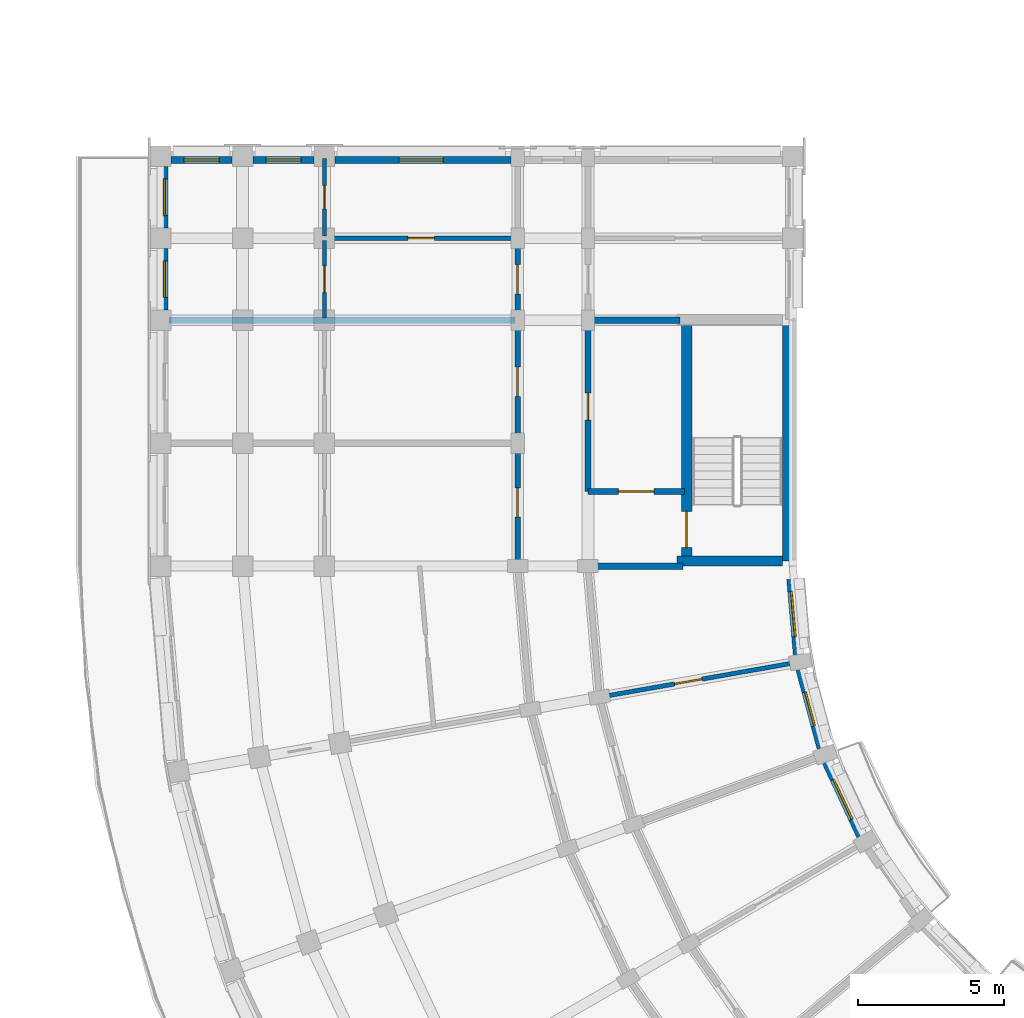
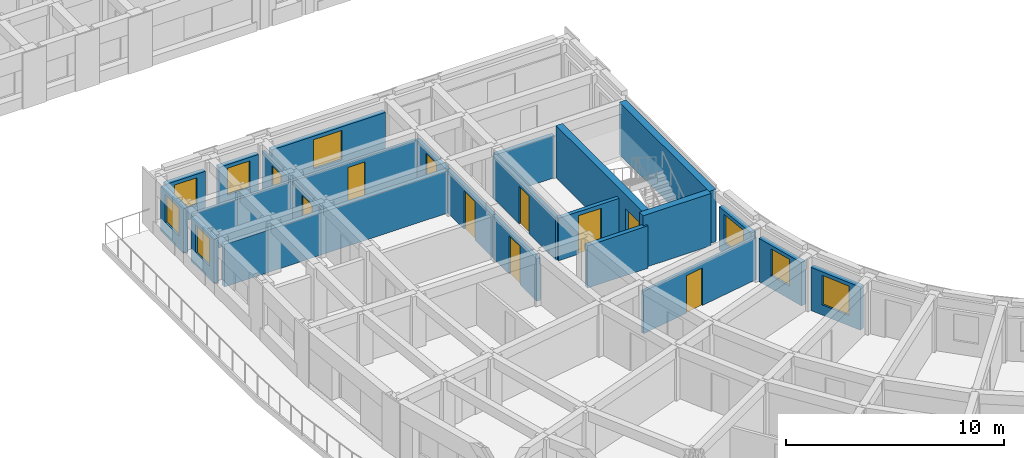
# One storey, part 21 of 57: 23 walls, 10 doors, 8 windows, 18 openings.
"""IFC4 building model written with IfcOpenShell, lengths in metres."""

from ifc_helpers import new_model, si_unit, direction, frame, frame_2d, origin, place, context, subcontext, project, spatial, rectangle, extrude, material, layer, layer_set, type_object, element, fill, save


model = new_model("IFC4")

# Units and contexts
model_context = context("Model", 3, precision=1e-05, world=origin(), true_north=direction((0.0, 1.0)))
body_context = subcontext(model_context, "Body", "Model", "MODEL_VIEW")
ifc_project = project(units=[si_unit("LENGTHUNIT", "METRE"), si_unit("AREAUNIT", "SQUARE_METRE"), si_unit("VOLUMEUNIT", "CUBIC_METRE"), si_unit("PLANEANGLEUNIT", "RADIAN"), si_unit("MASSUNIT", "GRAM", prefix="KILO")], contexts=[model_context])

# Site, building, storey
site_placement = place(None, origin())
site = spatial("IfcSite", under=ifc_project, at=site_placement, CompositionType="ELEMENT")
building_placement = place(site_placement, origin())
building = spatial("IfcBuilding", under=site, at=building_placement, Name="Kiranvali Square Residences", CompositionType="ELEMENT")
storey_placement = place(building_placement, frame((0.0, 0.0, 24.449951171875)))
storey = spatial("IfcBuildingStorey", under=building, at=storey_placement, Name="L07", CompositionType="ELEMENT", Elevation=24.449951171875)

# Wall, opening, door
ifc_material_1 = material(Name="Autoclaved aerated concrete blockwork masonry", Category="masonry")
ifc_layer_1 = layer(ifc_material_1, 0.199951171875)
ifc_layer_set_1 = layer_set([ifc_layer_1], Name="Autoclaved aerated concrete blockwork masonry")
wall_type_1 = type_object("IfcWallType", Name="WL-COR-200", PredefinedType="STANDARD", material=ifc_layer_set_1)
wall_1_placement = place(storey_placement, frame((25.699951171875, 50.75, 0.0), z_axis=(0.0, 0.0, 1.0), x_axis=(-1.0, 0.0, 0.0)))
wall_1 = element("IfcWall", 1, at=wall_1_placement, inside=storey, type_object=wall_type_1, Name="L07 architectural wall WL-L07-C-S3-V", PredefinedType="STANDARD", context=body_context, shape_type="SweptSolid", body=[
    extrude(rectangle(XDim=3.300048828125, YDim=0.199951171875, at=frame_2d((1.64990234375, 0.0))), origin(), (0.0, 0.0, 1.0), 2.3720703125),
])
opening_1_placement = place(wall_1_placement, frame((1.0400390625, 0.0, 0.0)))
opening_1 = element("IfcOpeningElement", 2, at=opening_1_placement, cuts=wall_1, Name="Opening FD-COR-60", PredefinedType="OPENING", context=body_context, shape_type="SweptSolid", body=[
    extrude(rectangle(XDim=1.219970703125, YDim=2.14990234375, at=frame_2d((0.60986328125, 1.074951171875))), frame((0.0, 0.10986328125, 0.0), z_axis=(0.0, -1.0, 0.0), x_axis=(1.0, 0.0, 0.0)), (0.0, 0.0, 1.0), 0.219970703125),
])
ifc_material_2 = material(Name="Fire-rated acoustic hardwood and mineral-core door assembly", Category="wood")
door_type_1 = type_object("IfcDoorType", Name="DR-FD60-1200", OperationType="NOTDEFINED", PredefinedType="DOOR", material=ifc_material_2)
door_1_placement = place(opening_1_placement, origin())
door_1 = element("IfcDoor", 3, at=door_1_placement, inside=storey, type_object=door_type_1, Name="L07 door DR-L07-2149 (DR-FD60-1200)", OperationType="SINGLE_SWING_LEFT", OverallHeight=2.14990234375, OverallWidth=1.219970703125, PredefinedType="DOOR", context=body_context, shape_type="SweptSolid", body=[
    extrude(rectangle(XDim=1.219970703125, YDim=2.14990234375, at=frame_2d((0.60986328125, 1.074951171875))), frame((0.0, 0.02490234375, 0.0), z_axis=(0.0, -1.0, 0.0), x_axis=(1.0, 0.0, 0.0)), (0.0, 0.0, 1.0), 0.050048828125),
])
fill(opening_1, door_1)

wall_2_placement = place(storey_placement, frame((22.39990234375, 50.75, 0.0), z_axis=(0.0, 0.0, 1.0), x_axis=(0.0, 1.0, 0.0)))
wall_2 = element("IfcWall", 4, at=wall_2_placement, inside=storey, type_object=wall_type_1, Name="L07 architectural wall WL-L07-C-S3-COR", PredefinedType="STANDARD", context=body_context, shape_type="SweptSolid", body=[
    extrude(rectangle(XDim=5.800048828125, YDim=0.199951171875, at=frame_2d((2.89990234375, 0.0))), origin(), (0.0, 0.0, 1.0), 2.3720703125),
])
opening_2_placement = place(wall_2_placement, frame((2.43994140625, 0.0, 0.0)))
opening_2 = element("IfcOpeningElement", 5, at=opening_2_placement, cuts=wall_2, Name="Opening FD-SVC-120", PredefinedType="OPENING", context=body_context, shape_type="SweptSolid", body=[
    extrude(rectangle(XDim=0.919921875, YDim=2.10009765625, at=frame_2d((0.4599609375, 1.050048828125))), frame((0.0, 0.10986328125, 0.0), z_axis=(0.0, -1.0, 0.0), x_axis=(1.0, 0.0, 0.0)), (0.0, 0.0, 1.0), 0.219970703125),
])
door_type_2 = type_object("IfcDoorType", Name="DR-SVC-900", OperationType="NOTDEFINED", PredefinedType="DOOR", material=ifc_material_2)
door_2_placement = place(opening_2_placement, frame((0.919921875, 0.0, 0.0), z_axis=(0.0, 0.0, 1.0), x_axis=(-1.0, 0.0, 0.0)))
door_2 = element("IfcDoor", 6, at=door_2_placement, inside=storey, type_object=door_type_2, Name="L07 door DR-L07-2150 (DR-SVC-900)", OperationType="SINGLE_SWING_RIGHT", OverallHeight=2.10009765625, OverallWidth=0.919921875, PredefinedType="DOOR", context=body_context, shape_type="SweptSolid", body=[
    extrude(rectangle(XDim=0.919921875, YDim=2.10009765625, at=frame_2d((0.4599609375, 1.050048828125))), frame((0.0, 0.02490234375, 0.0), z_axis=(0.0, -1.0, 0.0), x_axis=(1.0, 0.0, 0.0)), (0.0, 0.0, 1.0), 0.050048828125),
])
fill(opening_2, door_2)

wall_3_placement = place(storey_placement, frame((20.0, 48.35009765625, 0.0), z_axis=(0.0, 0.0, 1.0), x_axis=(0.0, 1.0, 0.0)))
wall_3 = element("IfcWall", 7, at=wall_3_placement, inside=storey, type_object=wall_type_1, Name="L07 architectural wall WL-L07-C-A2CF-C0", PredefinedType="STANDARD", context=body_context, shape_type="SweptSolid", body=[
    extrude(rectangle(XDim=4.0498046875, YDim=0.199951171875, at=frame_2d((2.02490234375, 0.0))), origin(), (0.0, 0.0, 1.0), 2.3720703125),
])
opening_3_placement = place(wall_3_placement, frame((1.52490234375, 0.0, 0.0)))
opening_3 = element("IfcOpeningElement", 8, at=opening_3_placement, cuts=wall_3, Name="Opening FD-APT-60", PredefinedType="OPENING", context=body_context, shape_type="SweptSolid", body=[
    extrude(rectangle(XDim=1.0, YDim=2.14990234375, at=frame_2d((0.5, 1.074951171875))), frame((0.0, 0.10986328125, 0.0), z_axis=(0.0, -1.0, 0.0), x_axis=(1.0, 0.0, 0.0)), (0.0, 0.0, 1.0), 0.219970703125),
])
door_type_3 = type_object("IfcDoorType", Name="DR-APT-1000", OperationType="NOTDEFINED", PredefinedType="DOOR", material=ifc_material_2)
door_3_placement = place(opening_3_placement, origin())
door_3 = element("IfcDoor", 9, at=door_3_placement, inside=storey, type_object=door_type_3, Name="L07 door DR-L07-2189 (DR-APT-1000)", OperationType="SINGLE_SWING_LEFT", OverallHeight=2.14990234375, OverallWidth=1.0, PredefinedType="DOOR", context=body_context, shape_type="SweptSolid", body=[
    extrude(rectangle(XDim=1.0, YDim=2.14990234375, at=frame_2d((0.5, 1.074951171875))), frame((0.0, 0.02490234375, 0.0), z_axis=(0.0, -1.0, 0.0), x_axis=(1.0, 0.0, 0.0)), (0.0, 0.0, 1.0), 0.050048828125),
])
fill(opening_3, door_3)

wall_4_placement = place(storey_placement, frame((20.0, 52.39990234375, 0.0), z_axis=(0.0, 0.0, 1.0), x_axis=(0.0, 1.0, 0.0)))
wall_4 = element("IfcWall", 10, at=wall_4_placement, inside=storey, type_object=wall_type_1, Name="L07 architectural wall WL-L07-C-A2CF-C1", PredefinedType="STANDARD", context=body_context, shape_type="SweptSolid", body=[
    extrude(rectangle(XDim=4.2001953125, YDim=0.199951171875, at=frame_2d((2.10009765625, 0.0))), origin(), (0.0, 0.0, 1.0), 2.3720703125),
])
opening_4_placement = place(wall_4_placement, frame((1.60009765625, 0.0, 0.0)))
opening_4 = element("IfcOpeningElement", 11, at=opening_4_placement, cuts=wall_4, Name="Opening FD-APT-60", PredefinedType="OPENING", context=body_context, shape_type="SweptSolid", body=[
    extrude(rectangle(XDim=1.0, YDim=2.14990234375, at=frame_2d((0.5, 1.074951171875))), frame((0.0, 0.10986328125, 0.0), z_axis=(0.0, -1.0, 0.0), x_axis=(1.0, 0.0, 0.0)), (0.0, 0.0, 1.0), 0.219970703125),
])
door_4_placement = place(opening_4_placement, origin())
door_4 = element("IfcDoor", 12, at=door_4_placement, inside=storey, type_object=door_type_3, Name="L07 door DR-L07-2191 (DR-APT-1000)", OperationType="SINGLE_SWING_LEFT", OverallHeight=2.14990234375, OverallWidth=1.0, PredefinedType="DOOR", context=body_context, shape_type="SweptSolid", body=[
    extrude(rectangle(XDim=1.0, YDim=2.14990234375, at=frame_2d((0.5, 1.074951171875))), frame((0.0, 0.02490234375, 0.0), z_axis=(0.0, -1.0, 0.0), x_axis=(1.0, 0.0, 0.0)), (0.0, 0.0, 1.0), 0.050048828125),
])
fill(opening_4, door_4)

wall_5_placement = place(storey_placement, frame((20.0, 56.60009765625, 0.0), z_axis=(0.0, 0.0, 1.0), x_axis=(0.0, 1.0, 0.0)))
wall_5 = element("IfcWall", 13, at=wall_5_placement, inside=storey, type_object=wall_type_1, Name="L07 architectural wall WL-L07-C-A2CO-0", PredefinedType="STANDARD", context=body_context, shape_type="SweptSolid", body=[
    extrude(rectangle(XDim=2.7998046875, YDim=0.199951171875, at=frame_2d((1.39990234375, 0.0))), origin(), (0.0, 0.0, 1.0), 2.3720703125),
])
opening_5_placement = place(wall_5_placement, frame((0.89990234375, 0.0, 0.0)))
opening_5 = element("IfcOpeningElement", 14, at=opening_5_placement, cuts=wall_5, Name="Opening FD-APT-60", PredefinedType="OPENING", context=body_context, shape_type="SweptSolid", body=[
    extrude(rectangle(XDim=1.0, YDim=2.14990234375, at=frame_2d((0.5, 1.074951171875))), frame((0.0, 0.10986328125, 0.0), z_axis=(0.0, -1.0, 0.0), x_axis=(1.0, 0.0, 0.0)), (0.0, 0.0, 1.0), 0.219970703125),
])
door_5_placement = place(opening_5_placement, origin())
door_5 = element("IfcDoor", 15, at=door_5_placement, inside=storey, type_object=door_type_3, Name="L07 door DR-L07-2195 (DR-APT-1000)", OperationType="SINGLE_SWING_LEFT", OverallHeight=2.14990234375, OverallWidth=1.0, PredefinedType="DOOR", context=body_context, shape_type="SweptSolid", body=[
    extrude(rectangle(XDim=1.0, YDim=2.14990234375, at=frame_2d((0.5, 1.074951171875))), frame((0.0, 0.02490234375, 0.0), z_axis=(0.0, -1.0, 0.0), x_axis=(1.0, 0.0, 0.0)), (0.0, 0.0, 1.0), 0.050048828125),
])
fill(opening_5, door_5)

# Walls
ifc_layer_2 = layer(ifc_material_1, 0.219970703125)
ifc_layer_set_2 = layer_set([ifc_layer_2], Name="Autoclaved aerated concrete blockwork masonry")
wall_type_2 = type_object("IfcWallType", Name="WL-DEM-220", PredefinedType="STANDARD", material=ifc_layer_set_2)
wall_6_placement = place(storey_placement, frame((25.64990234375, 48.199951171875, 0.0), z_axis=(0.0, 0.0, 1.0), x_axis=(-1.0, 0.0, 0.0)))
element("IfcWall", 16, at=wall_6_placement, inside=storey, type_object=wall_type_2, Name="L07 architectural wall WL-L07-C-RADI-9", PredefinedType="STANDARD", context=body_context, shape_type="SweptSolid", body=[
    extrude(rectangle(XDim=3.199951171875, YDim=0.219970703125, at=frame_2d((1.60009765625, 0.0))), origin(), (0.0, 0.0, 1.0), 2.3720703125),
])
wall_7_placement = place(storey_placement, frame((25.550048828125, 56.60009765625, 0.0), z_axis=(0.0, 0.0, 1.0), x_axis=(-1.0, 0.0, 0.0)))
element("IfcWall", 17, at=wall_7_placement, inside=storey, type_object=wall_type_2, Name="L07 architectural wall WL-L07-C-A2TI-0", PredefinedType="STANDARD", context=body_context, shape_type="SweptSolid", body=[
    extrude(rectangle(XDim=3.10009765625, YDim=0.219970703125, at=frame_2d((1.550048828125, 0.0))), origin(), (0.0, 0.0, 1.0), 2.3720703125),
])
wall_8_placement = place(storey_placement, frame((19.89990234375, 56.60009765625, 0.0), z_axis=(0.0, 0.0, 1.0), x_axis=(-1.0, 0.0, 0.0)))
element("IfcWall", 18, at=wall_8_placement, inside=storey, type_object=wall_type_2, Name="L07 architectural wall WL-L07-C-A2TO-0", PredefinedType="STANDARD", context=body_context, shape_type="SweptSolid", body=[
    extrude(rectangle(XDim=11.81982421875, YDim=0.219970703125, at=frame_2d((5.909912109375, 0.0))), origin(), (0.0, 0.0, 1.0), 2.3720703125),
])

# Wall, opening, window
ifc_material_3 = material(Name="Breathable lime-rendered clay brick masonry", Category="masonry")
ifc_layer_3 = layer(ifc_material_3, 0.25)
ifc_layer_set_3 = layer_set([ifc_layer_3], Name="Breathable lime-rendered clay brick masonry")
wall_type_3 = type_object("IfcWallType", Name="WL-EXT-250", PredefinedType="STANDARD", material=ifc_layer_set_3)
wall_9_placement = place(storey_placement, frame((31.6982421875, 38.97705078125, 0.0), z_axis=(0.0, 0.0, 1.0), x_axis=(-0.422649007088, 0.906293449611, 0.0)))
wall_9 = element("IfcWall", 19, at=wall_9_placement, inside=storey, type_object=wall_type_3, Name="L07 exterior wall C-L07-GDN-06", PredefinedType="STANDARD", context=body_context, shape_type="SweptSolid", body=[
    extrude(rectangle(XDim=2.769775390625, YDim=0.25, at=frame_2d((1.384765625, 0.0))), origin(), (0.0, 0.0, 1.0), 2.422119140625),
])
opening_6_placement = place(wall_9_placement, frame((0.635009765625, 0.0, 0.572021484375)))
opening_6 = element("IfcOpeningElement", 20, at=opening_6_placement, cuts=wall_9, Name="Opening W-05", PredefinedType="OPENING", context=body_context, shape_type="SweptSolid", body=[
    extrude(rectangle(XDim=1.5, YDim=1.64990234375, at=frame_2d((0.75, 0.824951171875))), frame((0.0, 0.135009765625, 0.0), z_axis=(0.0, -1.0, 0.0), x_axis=(1.0, 0.0, 0.0)), (0.0, 0.0, 1.0), 0.27001953125),
])
ifc_material_4 = material(Name="Solar-control low-e double glazing", Category="glass")
window_type_1 = type_object("IfcWindowType", Name="WIN-RES-1500x1650", PartitioningType="DOUBLE_PANEL_VERTICAL", PredefinedType="WINDOW", material=ifc_material_4)
window_1_placement = place(opening_6_placement, origin())
window_1 = element("IfcWindow", 21, at=window_1_placement, inside=storey, type_object=window_type_1, Name="L07 recessed window C-L07-GDN-06", OverallHeight=1.64990234375, OverallWidth=1.5, PartitioningType="DOUBLE_PANEL_VERTICAL", PredefinedType="WINDOW", context=body_context, shape_type="SweptSolid", body=[
    extrude(rectangle(XDim=1.5, YDim=1.64990234375, at=frame_2d((0.75, 0.824951171875))), frame((0.0, 0.030029296875, 0.0), z_axis=(0.0, -1.0, 0.0), x_axis=(1.0, 0.0, 0.0)), (0.0, 0.0, 1.0), 0.06005859375),
])
fill(opening_6, window_1)

wall_10_placement = place(storey_placement, frame((30.347412109375, 41.982666015625, 0.0), z_axis=(0.0, 0.0, 1.0), x_axis=(-0.25878161084, 0.965935855992, 0.0)))
wall_10 = element("IfcWall", 22, at=wall_10_placement, inside=storey, type_object=wall_type_3, Name="L07 exterior wall C-L07-GDN-07", PredefinedType="STANDARD", context=body_context, shape_type="SweptSolid", body=[
    extrude(rectangle(XDim=2.769775390625, YDim=0.25, at=frame_2d((1.384765625, 0.0))), origin(), (0.0, 0.0, 1.0), 2.422119140625),
])
opening_7_placement = place(wall_10_placement, frame((0.784912109375, 0.0, 0.721923828125)))
opening_7 = element("IfcOpeningElement", 23, at=opening_7_placement, cuts=wall_10, Name="Opening W-06", PredefinedType="OPENING", context=body_context, shape_type="SweptSolid", body=[
    extrude(rectangle(XDim=1.199951171875, YDim=1.5, at=frame_2d((0.60009765625, 0.75))), frame((0.0, 0.135009765625, 0.0), z_axis=(0.0, -1.0, 0.0), x_axis=(1.0, 0.0, 0.0)), (0.0, 0.0, 1.0), 0.27001953125),
])
window_type_2 = type_object("IfcWindowType", Name="WIN-RES-1200x1500", PartitioningType="SINGLE_PANEL", PredefinedType="WINDOW", material=ifc_material_4)
window_2_placement = place(opening_7_placement, origin())
window_2 = element("IfcWindow", 24, at=window_2_placement, inside=storey, type_object=window_type_2, Name="L07 recessed window C-L07-GDN-07", OverallHeight=1.5, OverallWidth=1.199951171875, PartitioningType="SINGLE_PANEL", PredefinedType="WINDOW", context=body_context, shape_type="SweptSolid", body=[
    extrude(rectangle(XDim=1.199951171875, YDim=1.5, at=frame_2d((0.60009765625, 0.75))), frame((0.0, 0.030029296875, 0.0), z_axis=(0.0, -1.0, 0.0), x_axis=(1.0, 0.0, 0.0)), (0.0, 0.0, 1.0), 0.06005859375),
])
fill(opening_7, window_2)

wall_11_placement = place(storey_placement, frame((29.5390625, 45.17724609375, 0.0), z_axis=(0.0, 0.0, 1.0), x_axis=(-0.087229084652, 0.996188278786, 0.0)))
wall_11 = element("IfcWall", 25, at=wall_11_placement, inside=storey, type_object=wall_type_3, Name="L07 exterior wall C-L07-GDN-08", PredefinedType="STANDARD", context=body_context, shape_type="SweptSolid", body=[
    extrude(rectangle(XDim=2.583251953125, YDim=0.25, at=frame_2d((1.29150390625, 0.0))), origin(), (0.0, 0.0, 1.0), 2.422119140625),
])
opening_8_placement = place(wall_11_placement, frame((0.60986328125, 0.0, 0.6220703125)))
opening_8 = element("IfcOpeningElement", 26, at=opening_8_placement, cuts=wall_11, Name="Opening W-18", PredefinedType="OPENING", context=body_context, shape_type="SweptSolid", body=[
    extrude(rectangle(XDim=1.550048828125, YDim=1.60009765625, at=frame_2d((0.77490234375, 0.800048828125))), frame((0.0, 0.135009765625, 0.0), z_axis=(0.0, -1.0, 0.0), x_axis=(1.0, 0.0, 0.0)), (0.0, 0.0, 1.0), 0.27001953125),
])
window_type_3 = type_object("IfcWindowType", Name="WIN-GDN-1550x1600", PartitioningType="DOUBLE_PANEL_VERTICAL", PredefinedType="WINDOW", material=ifc_material_4)
window_3_placement = place(opening_8_placement, origin())
window_3 = element("IfcWindow", 27, at=window_3_placement, inside=storey, type_object=window_type_3, Name="L07 recessed window C-L07-GDN-08", OverallHeight=1.60009765625, OverallWidth=1.550048828125, PartitioningType="DOUBLE_PANEL_VERTICAL", PredefinedType="WINDOW", context=body_context, shape_type="SweptSolid", body=[
    extrude(rectangle(XDim=1.550048828125, YDim=1.60009765625, at=frame_2d((0.77490234375, 0.800048828125))), frame((0.0, 0.030029296875, 0.0), z_axis=(0.0, -1.0, 0.0), x_axis=(1.0, 0.0, 0.0)), (0.0, 0.0, 1.0), 0.06005859375),
])
fill(opening_8, window_3)

wall_12_placement = place(storey_placement, frame((7.925048828125, 56.95361328125, 0.0), z_axis=(0.0, 0.0, 1.0), x_axis=(0.0, 1.0, 0.0)))
wall_12 = element("IfcWall", 28, at=wall_12_placement, inside=storey, type_object=wall_type_3, Name="L07 exterior wall C-L07-A2O-2", PredefinedType="STANDARD", context=body_context, shape_type="SweptSolid", body=[
    extrude(rectangle(XDim=2.0927734375, YDim=0.25, at=frame_2d((1.04638671875, 0.0))), origin(), (0.0, 0.0, 1.0), 2.47998046875),
])
opening_9_placement = place(wall_12_placement, frame((0.42138671875, 0.0, 0.72998046875)))
opening_9 = element("IfcOpeningElement", 29, at=opening_9_placement, cuts=wall_12, Name="Opening W-19", PredefinedType="OPENING", context=body_context, shape_type="SweptSolid", body=[
    extrude(rectangle(XDim=1.25, YDim=1.550048828125, at=frame_2d((0.625, 0.77490234375))), frame((0.0, 0.135009765625, 0.0), z_axis=(0.0, -1.0, 0.0), x_axis=(1.0, 0.0, 0.0)), (0.0, 0.0, 1.0), 0.27001953125),
])
window_type_4 = type_object("IfcWindowType", Name="WIN-GDN-1250x1550", PartitioningType="SINGLE_PANEL", PredefinedType="WINDOW", material=ifc_material_4)
window_4_placement = place(opening_9_placement, origin())
window_4 = element("IfcWindow", 30, at=window_4_placement, inside=storey, type_object=window_type_4, Name="L07 recessed window C-L07-A2O-2", OverallHeight=1.550048828125, OverallWidth=1.25, PartitioningType="SINGLE_PANEL", PredefinedType="WINDOW", context=body_context, shape_type="SweptSolid", body=[
    extrude(rectangle(XDim=1.25, YDim=1.550048828125, at=frame_2d((0.625, 0.77490234375))), frame((0.0, 0.030029296875, 0.0), z_axis=(0.0, -1.0, 0.0), x_axis=(1.0, 0.0, 0.0)), (0.0, 0.0, 1.0), 0.06005859375),
])
fill(opening_9, window_4)

wall_13_placement = place(storey_placement, frame((7.925048828125, 59.75341796875, 0.0), z_axis=(0.0, 0.0, 1.0), x_axis=(0.0, 1.0, 0.0)))
wall_13 = element("IfcWall", 31, at=wall_13_placement, inside=storey, type_object=wall_type_3, Name="L07 exterior wall C-L07-A2O-3", PredefinedType="STANDARD", context=body_context, shape_type="SweptSolid", body=[
    extrude(rectangle(XDim=2.093017578125, YDim=0.25, at=frame_2d((1.04638671875, 0.0))), origin(), (0.0, 0.0, 1.0), 2.47998046875),
])
opening_10_placement = place(wall_13_placement, frame((0.42138671875, 0.0, 0.72998046875)))
opening_10 = element("IfcOpeningElement", 32, at=opening_10_placement, cuts=wall_13, Name="Opening W-19", PredefinedType="OPENING", context=body_context, shape_type="SweptSolid", body=[
    extrude(rectangle(XDim=1.25, YDim=1.550048828125, at=frame_2d((0.625, 0.77490234375))), frame((0.0, 0.135009765625, 0.0), z_axis=(0.0, -1.0, 0.0), x_axis=(1.0, 0.0, 0.0)), (0.0, 0.0, 1.0), 0.27001953125),
])
window_5_placement = place(opening_10_placement, origin())
window_5 = element("IfcWindow", 33, at=window_5_placement, inside=storey, type_object=window_type_4, Name="L07 recessed window C-L07-A2O-3", OverallHeight=1.550048828125, OverallWidth=1.25, PartitioningType="SINGLE_PANEL", PredefinedType="WINDOW", context=body_context, shape_type="SweptSolid", body=[
    extrude(rectangle(XDim=1.25, YDim=1.550048828125, at=frame_2d((0.625, 0.77490234375))), frame((0.0, 0.030029296875, 0.0), z_axis=(0.0, -1.0, 0.0), x_axis=(1.0, 0.0, 0.0)), (0.0, 0.0, 1.0), 0.06005859375),
])
fill(opening_10, window_5)

wall_14_placement = place(storey_placement, frame((19.771484375, 62.074951171875, 0.0), z_axis=(0.0, 0.0, 1.0), x_axis=(-1.0, 0.0, 0.0)))
wall_14 = element("IfcWall", 34, at=wall_14_placement, inside=storey, type_object=wall_type_3, Name="L07 exterior wall C-L07-A2END-2", PredefinedType="STANDARD", context=body_context, shape_type="SweptSolid", body=[
    extrude(rectangle(XDim=6.01806640625, YDim=0.25, at=frame_2d((3.009033203125, 0.0))), origin(), (0.0, 0.0, 1.0), 2.3720703125),
])
opening_11_placement = place(wall_14_placement, frame((2.321533203125, 0.0, 0.52197265625)))
opening_11 = element("IfcOpeningElement", 35, at=opening_11_placement, cuts=wall_14, Name="Opening W-05", PredefinedType="OPENING", context=body_context, shape_type="SweptSolid", body=[
    extrude(rectangle(XDim=1.5, YDim=1.64990234375, at=frame_2d((0.75, 0.824951171875))), frame((0.0, 0.135009765625, 0.0), z_axis=(0.0, -1.0, 0.0), x_axis=(1.0, 0.0, 0.0)), (0.0, 0.0, 1.0), 0.27001953125),
])
window_6_placement = place(opening_11_placement, origin())
window_6 = element("IfcWindow", 36, at=window_6_placement, inside=storey, type_object=window_type_1, Name="L07 recessed window C-L07-A2END-2", OverallHeight=1.64990234375, OverallWidth=1.5, PartitioningType="DOUBLE_PANEL_VERTICAL", PredefinedType="WINDOW", context=body_context, shape_type="SweptSolid", body=[
    extrude(rectangle(XDim=1.5, YDim=1.64990234375, at=frame_2d((0.75, 0.824951171875))), frame((0.0, 0.030029296875, 0.0), z_axis=(0.0, -1.0, 0.0), x_axis=(1.0, 0.0, 0.0)), (0.0, 0.0, 1.0), 0.06005859375),
])
fill(opening_11, window_6)

wall_15_placement = place(storey_placement, frame((13.04638671875, 62.074951171875, 0.0), z_axis=(0.0, 0.0, 1.0), x_axis=(-1.0, 0.0, 0.0)))
wall_15 = element("IfcWall", 37, at=wall_15_placement, inside=storey, type_object=wall_type_3, Name="L07 exterior wall C-L07-A2END-3", PredefinedType="STANDARD", context=body_context, shape_type="SweptSolid", body=[
    extrude(rectangle(XDim=2.0927734375, YDim=0.25, at=frame_2d((1.04638671875, 0.0))), origin(), (0.0, 0.0, 1.0), 2.3720703125),
])
opening_12_placement = place(wall_15_placement, frame((0.446533203125, 0.0, 0.672119140625)))
opening_12 = element("IfcOpeningElement", 38, at=opening_12_placement, cuts=wall_15, Name="Opening W-06", PredefinedType="OPENING", context=body_context, shape_type="SweptSolid", body=[
    extrude(rectangle(XDim=1.199951171875, YDim=1.5, at=frame_2d((0.60009765625, 0.75))), frame((0.0, 0.135009765625, 0.0), z_axis=(0.0, -1.0, 0.0), x_axis=(1.0, 0.0, 0.0)), (0.0, 0.0, 1.0), 0.27001953125),
])
window_7_placement = place(opening_12_placement, origin())
window_7 = element("IfcWindow", 39, at=window_7_placement, inside=storey, type_object=window_type_2, Name="L07 recessed window C-L07-A2END-3", OverallHeight=1.5, OverallWidth=1.199951171875, PartitioningType="SINGLE_PANEL", PredefinedType="WINDOW", context=body_context, shape_type="SweptSolid", body=[
    extrude(rectangle(XDim=1.199951171875, YDim=1.5, at=frame_2d((0.60009765625, 0.75))), frame((0.0, 0.030029296875, 0.0), z_axis=(0.0, -1.0, 0.0), x_axis=(1.0, 0.0, 0.0)), (0.0, 0.0, 1.0), 0.06005859375),
])
fill(opening_12, window_7)

wall_16_placement = place(storey_placement, frame((10.24658203125, 62.074951171875, 0.0), z_axis=(0.0, 0.0, 1.0), x_axis=(-1.0, 0.0, 0.0)))
wall_16 = element("IfcWall", 40, at=wall_16_placement, inside=storey, type_object=wall_type_3, Name="L07 exterior wall C-L07-A2END-4", PredefinedType="STANDARD", context=body_context, shape_type="SweptSolid", body=[
    extrude(rectangle(XDim=2.093017578125, YDim=0.25, at=frame_2d((1.04638671875, 0.0))), origin(), (0.0, 0.0, 1.0), 2.412109375),
])
opening_13_placement = place(wall_16_placement, frame((0.446533203125, 0.0, 0.7119140625)))
opening_13 = element("IfcOpeningElement", 41, at=opening_13_placement, cuts=wall_16, Name="Opening W-06", PredefinedType="OPENING", context=body_context, shape_type="SweptSolid", body=[
    extrude(rectangle(XDim=1.199951171875, YDim=1.5, at=frame_2d((0.60009765625, 0.75))), frame((0.0, 0.135009765625, 0.0), z_axis=(0.0, -1.0, 0.0), x_axis=(1.0, 0.0, 0.0)), (0.0, 0.0, 1.0), 0.27001953125),
])
window_8_placement = place(opening_13_placement, origin())
window_8 = element("IfcWindow", 42, at=window_8_placement, inside=storey, type_object=window_type_2, Name="L07 recessed window C-L07-A2END-4", OverallHeight=1.5, OverallWidth=1.199951171875, PartitioningType="SINGLE_PANEL", PredefinedType="WINDOW", context=body_context, shape_type="SweptSolid", body=[
    extrude(rectangle(XDim=1.199951171875, YDim=1.5, at=frame_2d((0.60009765625, 0.75))), frame((0.0, 0.030029296875, 0.0), z_axis=(0.0, -1.0, 0.0), x_axis=(1.0, 0.0, 0.0)), (0.0, 0.0, 1.0), 0.06005859375),
])
fill(opening_13, window_8)

# Wall, opening, door
ifc_material_5 = material(Name="Acoustic gypsum board drylined partition", Category="gypsum")
ifc_layer_4 = layer(ifc_material_5, 0.14990234375)
ifc_layer_set_4 = layer_set([ifc_layer_4], Name="Acoustic gypsum board drylined partition")
wall_type_4 = type_object("IfcWallType", Name="WL-PRT-150", PredefinedType="PARTITIONING", material=ifc_layer_set_4)
wall_17_placement = place(storey_placement, frame((29.48876953125, 44.900634765625, 0.0), z_axis=(0.0, 0.0, 1.0), x_axis=(-0.984807944945, -0.173647089161, 0.0)))
wall_17 = element("IfcWall", 43, at=wall_17_placement, inside=storey, type_object=wall_type_4, Name="L07 architectural wall WL-L07-C-RADI-8", PredefinedType="PARTITIONING", context=body_context, shape_type="SweptSolid", body=[
    extrude(rectangle(XDim=6.75, YDim=0.14990234375, at=frame_2d((3.375, 0.0))), origin(), (0.0, 0.0, 1.0), 2.3720703125),
])
opening_14_placement = place(wall_17_placement, frame((3.242431640625, 0.0, 0.0)))
opening_14 = element("IfcOpeningElement", 44, at=opening_14_placement, cuts=wall_17, Name="Opening ID-2", PredefinedType="OPENING", context=body_context, shape_type="SweptSolid", body=[
    extrude(rectangle(XDim=0.93994140625, YDim=2.10009765625, at=frame_2d((0.469970703125, 1.050048828125))), frame((0.0, 0.0849609375, 0.0), z_axis=(0.0, -1.0, 0.0), x_axis=(1.0, 0.0, 0.0)), (0.0, 0.0, 1.0), 0.169921875),
])
ifc_material_6 = material(Name="Solid seasoned teak hardwood joinery", Category="wood")
door_type_4 = type_object("IfcDoorType", Name="DR-INT-940", OperationType="NOTDEFINED", PredefinedType="DOOR", material=ifc_material_6)
door_6_placement = place(opening_14_placement, origin())
door_6 = element("IfcDoor", 45, at=door_6_placement, inside=storey, type_object=door_type_4, Name="L07 door DR-L07-2175 (DR-INT-940)", OperationType="SINGLE_SWING_LEFT", OverallHeight=2.10009765625, OverallWidth=0.93994140625, PredefinedType="DOOR", context=body_context, shape_type="SweptSolid", body=[
    extrude(rectangle(XDim=0.93994140625, YDim=2.10009765625, at=frame_2d((0.469970703125, 1.050048828125))), frame((0.0, 0.02490234375, 0.0), z_axis=(0.0, -1.0, 0.0), x_axis=(1.0, 0.0, 0.0)), (0.0, 0.0, 1.0), 0.050048828125),
])
fill(opening_14, door_6)

wall_18_placement = place(storey_placement, frame((19.89990234375, 59.39990234375, 0.0), z_axis=(0.0, 0.0, 1.0), x_axis=(-1.0, 0.0, 0.0)))
wall_18 = element("IfcWall", 46, at=wall_18_placement, inside=storey, type_object=wall_type_4, Name="L07 architectural wall WL-L07-C-A2TO-1", PredefinedType="PARTITIONING", context=body_context, shape_type="SweptSolid", body=[
    extrude(rectangle(XDim=11.81982421875, YDim=0.14990234375, at=frame_2d((5.909912109375, 0.0))), origin(), (0.0, 0.0, 1.0), 2.3720703125),
])
opening_15_placement = place(wall_18_placement, frame((2.749755859375, 0.0, 0.0)))
opening_15 = element("IfcOpeningElement", 47, at=opening_15_placement, cuts=wall_18, Name="Opening ID-1", PredefinedType="OPENING", context=body_context, shape_type="SweptSolid", body=[
    extrude(rectangle(XDim=0.89990234375, YDim=2.10009765625, at=frame_2d((0.449951171875, 1.050048828125))), frame((0.0, 0.0849609375, 0.0), z_axis=(0.0, -1.0, 0.0), x_axis=(1.0, 0.0, 0.0)), (0.0, 0.0, 1.0), 0.169921875),
])
door_type_5 = type_object("IfcDoorType", Name="DR-INT-900", OperationType="NOTDEFINED", PredefinedType="DOOR", material=ifc_material_6)
door_7_placement = place(opening_15_placement, frame((0.89990234375, 0.0, 0.0), z_axis=(0.0, 0.0, 1.0), x_axis=(-1.0, 0.0, 0.0)))
door_7 = element("IfcDoor", 48, at=door_7_placement, inside=storey, type_object=door_type_5, Name="L07 door DR-L07-2198 (DR-INT-900)", OperationType="SINGLE_SWING_RIGHT", OverallHeight=2.10009765625, OverallWidth=0.89990234375, PredefinedType="DOOR", context=body_context, shape_type="SweptSolid", body=[
    extrude(rectangle(XDim=0.89990234375, YDim=2.10009765625, at=frame_2d((0.449951171875, 1.050048828125))), frame((0.0, 0.02490234375, 0.0), z_axis=(0.0, -1.0, 0.0), x_axis=(1.0, 0.0, 0.0)), (0.0, 0.0, 1.0), 0.050048828125),
])
fill(opening_15, door_7)

# Wall
ifc_material_7 = material(Name="Concrete M45 (45 MPa)", Category="concrete")
ifc_layer_5 = layer(ifc_material_7, 0.320068359375)
ifc_layer_set_5 = layer_set([ifc_layer_5], Name="Concrete M45 (45 MPa)")
wall_type_5 = type_object("IfcWallType", Name="WL-SHR-320", PredefinedType="SHEAR", material=ifc_layer_set_5)
wall_19_placement = place(storey_placement, frame((29.22509765625, 48.375, 0.0), z_axis=(0.0, 0.0, 1.0), x_axis=(0.0, 1.0, 0.0)))
element("IfcWall", 49, at=wall_19_placement, inside=storey, type_object=wall_type_5, Name="Block C core shear wall SW-C3-OUT-L07", PredefinedType="SHEAR", context=body_context, shape_type="SweptSolid", body=[
    extrude(rectangle(XDim=8.25, YDim=0.35009765625, at=frame_2d((4.125, 0.0))), origin(), (0.0, 0.0, 1.0), 2.929931640625),
])

# Wall, opening, door
wall_20_placement = place(storey_placement, frame((25.77490234375, 48.550048828125, 0.0), z_axis=(0.0, 0.0, 1.0), x_axis=(0.0, 1.0, 0.0)))
wall_20 = element("IfcWall", 50, at=wall_20_placement, inside=storey, type_object=wall_type_5, Name="Block C core shear wall SW-C3-IN-L07", PredefinedType="SHEAR", context=body_context, shape_type="SweptSolid", body=[
    extrude(rectangle(XDim=7.89990234375, YDim=0.35009765625, at=frame_2d((3.949951171875, 0.0))), origin(), (0.0, 0.0, 1.0), 2.929931640625),
])
opening_16_placement = place(wall_20_placement, frame((0.280029296875, 0.0, 0.0)))
opening_16 = element("IfcOpeningElement", 51, at=opening_16_placement, cuts=wall_20, Name="Opening FD-ST-120", PredefinedType="OPENING", context=body_context, shape_type="SweptSolid", body=[
    extrude(rectangle(XDim=1.239990234375, YDim=2.14990234375, at=frame_2d((0.6201171875, 1.074951171875))), frame((0.0, 0.18505859375, 0.0), z_axis=(0.0, -1.0, 0.0), x_axis=(1.0, 0.0, 0.0)), (0.0, 0.0, 1.0), 0.3701171875),
])
door_type_6 = type_object("IfcDoorType", Name="DR-FD120-1200", OperationType="NOTDEFINED", PredefinedType="DOOR", material=ifc_material_2)
door_8_placement = place(opening_16_placement, frame((1.239990234375, 0.0, 0.0), z_axis=(0.0, 0.0, 1.0), x_axis=(-1.0, 0.0, 0.0)))
door_8 = element("IfcDoor", 52, at=door_8_placement, inside=storey, type_object=door_type_6, Name="L07 door DR-L07-2145 (DR-FD120-1200)", OperationType="SINGLE_SWING_LEFT", OverallHeight=2.14990234375, OverallWidth=1.239990234375, PredefinedType="DOOR", context=body_context, shape_type="SweptSolid", body=[
    extrude(rectangle(XDim=1.239990234375, YDim=2.14990234375, at=frame_2d((0.6201171875, 1.074951171875))), frame((0.0, 0.02490234375, 0.0), z_axis=(0.0, -1.0, 0.0), x_axis=(1.0, 0.0, 0.0)), (0.0, 0.0, 1.0), 0.050048828125),
])
fill(opening_16, door_8)

# Wall
wall_21_placement = place(storey_placement, frame((29.050048828125, 48.375, 0.0), z_axis=(0.0, 0.0, 1.0), x_axis=(-1.0, 0.0, 0.0)))
element("IfcWall", 53, at=wall_21_placement, inside=storey, type_object=wall_type_5, Name="Block C core shear wall SW-C3-NEAR-L07", PredefinedType="SHEAR", context=body_context, shape_type="SweptSolid", body=[
    extrude(rectangle(XDim=3.60009765625, YDim=0.35009765625, at=frame_2d((1.800048828125, 0.0))), origin(), (0.0, 0.0, 1.0), 2.929931640625),
])

# Wall, opening, door
ifc_layer_6 = layer(ifc_material_1, 0.14990234375)
ifc_layer_set_6 = layer_set([ifc_layer_6], Name="Autoclaved aerated concrete blockwork masonry")
wall_type_6 = type_object("IfcWallType", Name="WL-WET-150", PredefinedType="PLUMBINGWALL", material=ifc_layer_set_6)
wall_22_placement = place(storey_placement, frame((13.39990234375, 56.679931640625, 0.0), z_axis=(0.0, 0.0, 1.0), x_axis=(0.0, 1.0, 0.0)))
wall_22 = element("IfcWall", 54, at=wall_22_placement, inside=storey, type_object=wall_type_6, Name="L07 architectural wall WL-L07-C-A2SP-0", PredefinedType="PLUMBINGWALL", context=body_context, shape_type="SweptSolid", body=[
    extrude(rectangle(XDim=2.64013671875, YDim=0.14990234375, at=frame_2d((1.320068359375, 0.0))), origin(), (0.0, 0.0, 1.0), 2.3720703125),
])
opening_17_placement = place(wall_22_placement, frame((0.8701171875, 0.0, 0.0)))
opening_17 = element("IfcOpeningElement", 55, at=opening_17_placement, cuts=wall_22, Name="Opening ID-1", PredefinedType="OPENING", context=body_context, shape_type="SweptSolid", body=[
    extrude(rectangle(XDim=0.89990234375, YDim=2.10009765625, at=frame_2d((0.449951171875, 1.050048828125))), frame((0.0, 0.0849609375, 0.0), z_axis=(0.0, -1.0, 0.0), x_axis=(1.0, 0.0, 0.0)), (0.0, 0.0, 1.0), 0.169921875),
])
door_9_placement = place(opening_17_placement, frame((0.89990234375, 0.0, 0.0), z_axis=(0.0, 0.0, 1.0), x_axis=(-1.0, 0.0, 0.0)))
door_9 = element("IfcDoor", 56, at=door_9_placement, inside=storey, type_object=door_type_5, Name="L07 door DR-L07-2194 (DR-INT-900)", OperationType="SINGLE_SWING_RIGHT", OverallHeight=2.10009765625, OverallWidth=0.89990234375, PredefinedType="DOOR", context=body_context, shape_type="SweptSolid", body=[
    extrude(rectangle(XDim=0.89990234375, YDim=2.10009765625, at=frame_2d((0.449951171875, 1.050048828125))), frame((0.0, 0.02490234375, 0.0), z_axis=(0.0, -1.0, 0.0), x_axis=(1.0, 0.0, 0.0)), (0.0, 0.0, 1.0), 0.050048828125),
])
fill(opening_17, door_9)

wall_23_placement = place(storey_placement, frame((13.39990234375, 59.47998046875, 0.0), z_axis=(0.0, 0.0, 1.0), x_axis=(0.0, 1.0, 0.0)))
wall_23 = element("IfcWall", 57, at=wall_23_placement, inside=storey, type_object=wall_type_6, Name="L07 architectural wall WL-L07-C-A2SP-1", PredefinedType="PLUMBINGWALL", context=body_context, shape_type="SweptSolid", body=[
    extrude(rectangle(XDim=2.64013671875, YDim=0.14990234375, at=frame_2d((1.320068359375, 0.0))), origin(), (0.0, 0.0, 1.0), 2.3720703125),
])
opening_18_placement = place(wall_23_placement, frame((0.919921875, 0.0, 0.0)))
opening_18 = element("IfcOpeningElement", 58, at=opening_18_placement, cuts=wall_23, Name="Opening ID-WET", PredefinedType="OPENING", context=body_context, shape_type="SweptSolid", body=[
    extrude(rectangle(XDim=0.800048828125, YDim=2.10009765625, at=frame_2d((0.39990234375, 1.050048828125))), frame((0.0, 0.0849609375, 0.0), z_axis=(0.0, -1.0, 0.0), x_axis=(1.0, 0.0, 0.0)), (0.0, 0.0, 1.0), 0.169921875),
])
door_type_7 = type_object("IfcDoorType", Name="DR-WET-800", OperationType="NOTDEFINED", PredefinedType="DOOR", material=ifc_material_6)
door_10_placement = place(opening_18_placement, frame((0.800048828125, 0.0, 0.0), z_axis=(0.0, 0.0, 1.0), x_axis=(-1.0, 0.0, 0.0)))
door_10 = element("IfcDoor", 59, at=door_10_placement, inside=storey, type_object=door_type_7, Name="L07 door DR-L07-2196 (DR-WET-800)", OperationType="SINGLE_SWING_RIGHT", OverallHeight=2.10009765625, OverallWidth=0.800048828125, PredefinedType="DOOR", context=body_context, shape_type="SweptSolid", body=[
    extrude(rectangle(XDim=0.800048828125, YDim=2.10009765625, at=frame_2d((0.39990234375, 1.050048828125))), frame((0.0, 0.02490234375, 0.0), z_axis=(0.0, -1.0, 0.0), x_axis=(1.0, 0.0, 0.0)), (0.0, 0.0, 1.0), 0.050048828125),
])
fill(opening_18, door_10)

save(model, "model.ifc")
